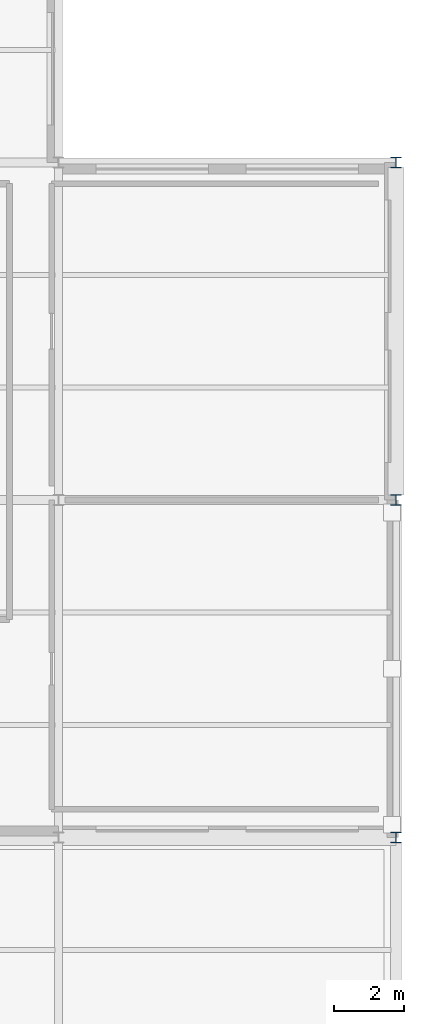
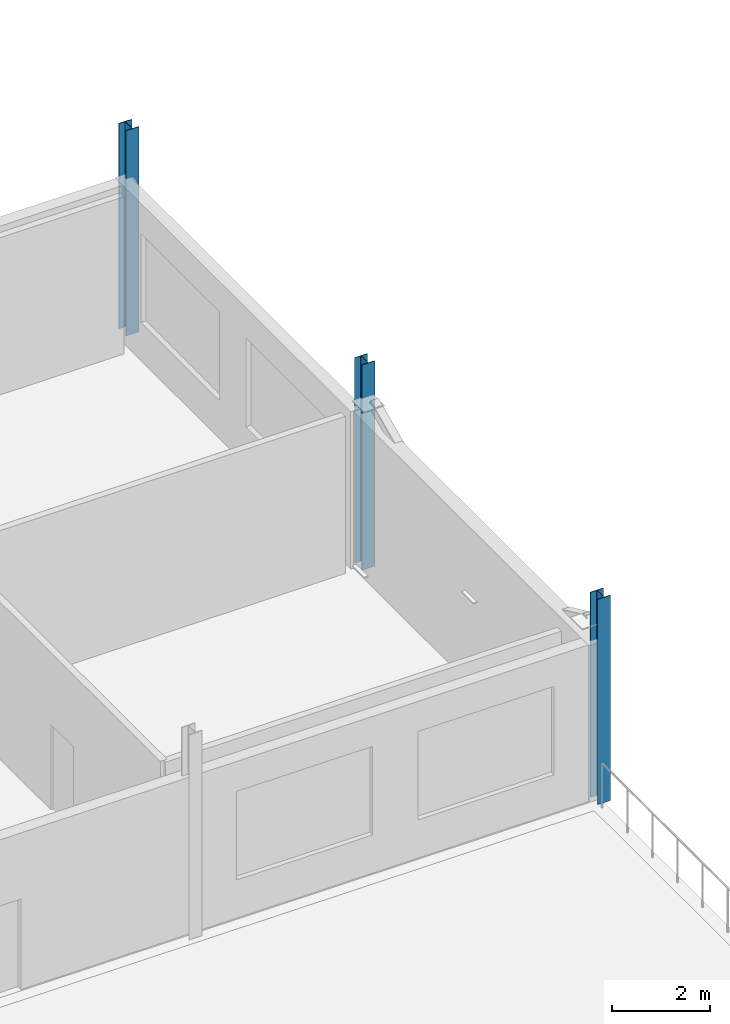
# One storey, part 8 of 45: 3 columns.
"""IFC4 building model written with IfcOpenShell, lengths in metres."""

from ifc_helpers import new_model, si_unit, direction, frame, origin, origin_2d, place, context, subcontext, project, spatial, i_section, extrude, material, material_profile, profile_set, type_object, element, save


model = new_model("IFC4")

# Units and contexts
model_context = context("Model", 3, precision=1e-05, world=origin(), true_north=direction((0.0, 1.0)))
body_context = subcontext(model_context, "Body", "Model", "MODEL_VIEW")
ifc_project = project(units=[si_unit("LENGTHUNIT", "METRE"), si_unit("AREAUNIT", "SQUARE_METRE"), si_unit("VOLUMEUNIT", "CUBIC_METRE"), si_unit("PLANEANGLEUNIT", "RADIAN"), si_unit("MASSUNIT", "GRAM", prefix="KILO")], contexts=[model_context])

# Site, building, storey
site_placement = place(None, origin())
site = spatial("IfcSite", under=ifc_project, at=site_placement, CompositionType="ELEMENT")
building_placement = place(site_placement, origin())
building = spatial("IfcBuilding", under=site, at=building_placement, Name="Caelomonte Colonnade Arena", CompositionType="ELEMENT")
storey_placement = place(building_placement, frame((0.0, 0.0, 23.10009765625)))
storey = spatial("IfcBuildingStorey", under=building, at=storey_placement, Name="L05", CompositionType="ELEMENT", Elevation=23.10009765625)

# Columns
ifc_material = material(Name="Wide-flange steel ASTM A992 Grade 50", Category="steel")
ifc_material_profile = material_profile(ifc_material, i_section(OverallWidth=0.3046875, OverallDepth=0.307861328125, WebThickness=0.010009765625, FlangeThickness=0.015380859375, FilletRadius=0.0126953125, at=origin_2d()), Name="W12X65")
ifc_profile_set = profile_set([ifc_material_profile], Name="Wide-flange steel ASTM A992 Grade 50")
column_type = type_object("IfcColumnType", Name="STR-COL-W12A", PredefinedType="COLUMN", material=ifc_profile_set)
for number, where, z_axis, x_axis, name in (
    (1, (192.0, 115.199951171875, 0.0), (0.0, 0.0, 1.0), (1.0, 0.0, 0.0), "L05 column (192.0, 115.2)"),
    (2, (192.0, 124.800048828125, 0.0), (0.0, 0.0, 1.0), (1.0, 0.0, 0.0), "L05 column (192.0, 124.8)"),
    (3, (192.0, 134.39990234375, 0.0), (0.0, 0.0, 1.0), (1.0, 0.0, 0.0), "L05 column (192.0, 134.4)"),
):
    element("IfcColumn", number, at=place(storey_placement, frame(where, z_axis=z_axis, x_axis=x_axis)), inside=storey, type_object=column_type, Name=name, PredefinedType="COLUMN", context=body_context, shape_type="SweptSolid", body=[
        extrude(i_section(OverallWidth=0.3046875, OverallDepth=0.307861328125, WebThickness=0.010009765625, FlangeThickness=0.015380859375, FilletRadius=0.0126953125, at=origin_2d()), origin(), (0.0, 0.0, 1.0), 5.099853515625),
    ])

save(model, "model.ifc")
